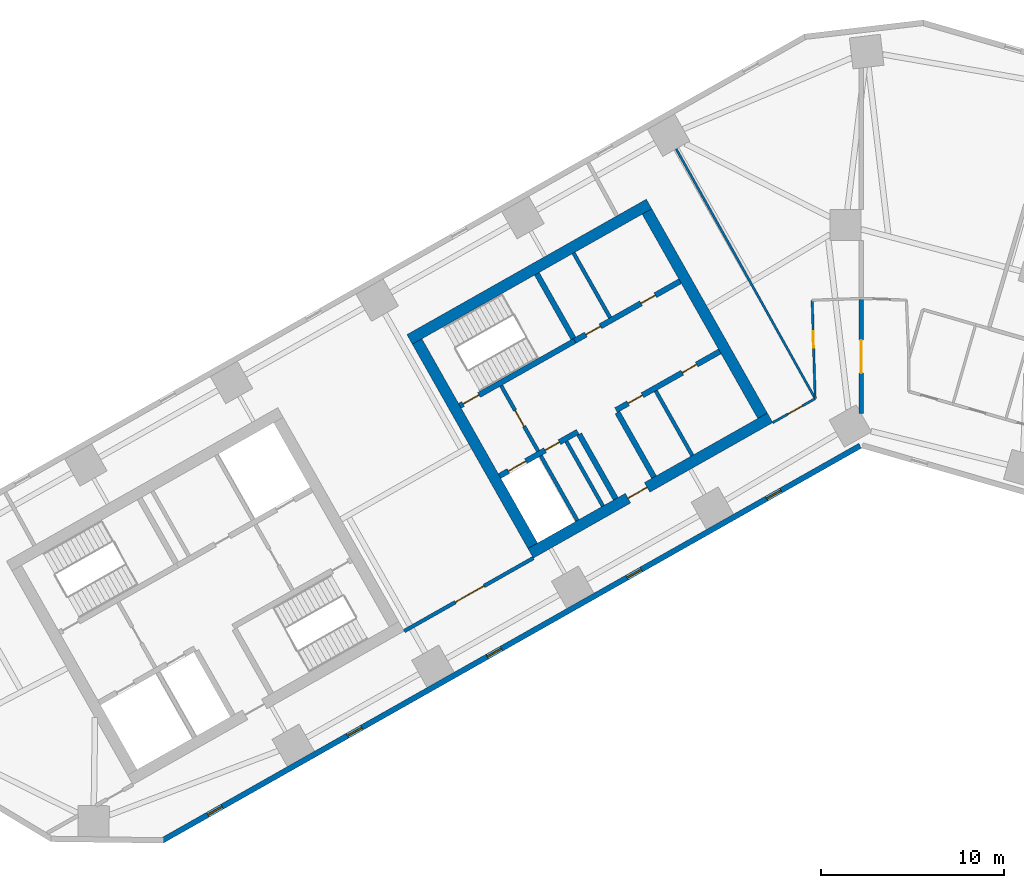
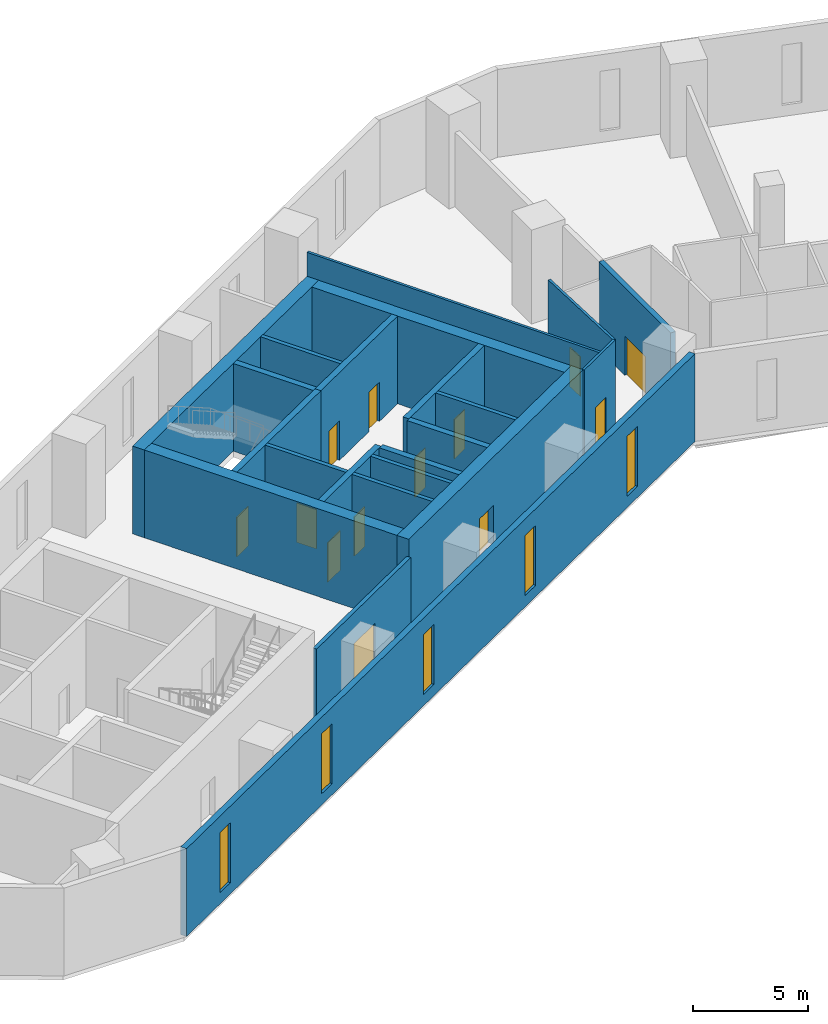
# One storey, part 4 of 10: 22 walls, 13 doors, 5 windows, 18 openings.
"""IFC4 building model written with IfcOpenShell, lengths in metres."""

from ifc_helpers import new_model, si_unit, direction, frame, frame_2d, origin, place, context, subcontext, project, spatial, rectangle, extrude, material, layer, layer_set, type_object, element, fill, save


model = new_model("IFC4")

# Units and contexts
model_context = context("Model", 3, precision=1e-05, world=origin(), true_north=direction((0.0, 1.0)))
body_context = subcontext(model_context, "Body", "Model", "MODEL_VIEW")
ifc_project = project(units=[si_unit("LENGTHUNIT", "METRE"), si_unit("AREAUNIT", "SQUARE_METRE"), si_unit("VOLUMEUNIT", "CUBIC_METRE"), si_unit("PLANEANGLEUNIT", "RADIAN"), si_unit("MASSUNIT", "GRAM", prefix="KILO")], contexts=[model_context])

# Site, building, storey
site_placement = place(None, origin())
site = spatial("IfcSite", under=ifc_project, at=site_placement, CompositionType="ELEMENT")
building_placement = place(site_placement, origin())
building = spatial("IfcBuilding", under=site, at=building_placement, Name="Binnacle Exchange Tower", CompositionType="ELEMENT")
storey_placement = place(building_placement, frame((0.0, 0.0, 51.5)))
storey = spatial("IfcBuildingStorey", under=building, at=storey_placement, Name="L10", CompositionType="ELEMENT", Elevation=51.5)

# Walls
ifc_material_1 = material(Name="Gypsum partition fire rated")
ifc_layer_1 = layer(ifc_material_1, 0.199951171875)
ifc_layer_set_1 = layer_set([ifc_layer_1], Name="Core partition 200")
wall_type_1 = type_object("IfcWallType", Name="Core partition 200", PredefinedType="PARTITIONING", material=ifc_layer_set_1)
for number, where, z_axis, x_axis, name in (
    (1, (-15.6845703125, 58.4794921875, 0.0), (0.0, 0.0, 1.0), (0.49241474071, -0.870360685654, 0.0), "Core wall CRWC17"),
    (2, (-11.201904296875, 50.96240234375, 0.0), (0.0, 0.0, 1.0), (0.49241474071, -0.870360685654, 0.0), "Core wall CRWC19"),
):
    element("IfcWall", number, at=place(storey_placement, frame(where, z_axis=z_axis, x_axis=x_axis)), inside=storey, type_object=wall_type_1, Name=name, PredefinedType="PARTITIONING", context=body_context, shape_type="SweptSolid", body=[
        extrude(rectangle(XDim=4.05029296875, YDim=0.199951171875, at=frame_2d((2.025146484375, 0.0))), origin(), (0.0, 0.0, 1.0), 4.679931640625),
    ])

# Wall, openings, doors
ifc_material_2 = material(Name="Concrete C70/85", Category="concrete")
ifc_layer_2 = layer(ifc_material_2, 0.300048828125)
ifc_layer_set_2 = layer_set([ifc_layer_2], Name="Core wall - front 300")
wall_type_2 = type_object("IfcWallType", Name="Core wall - front 300", PredefinedType="SOLIDWALL", material=ifc_layer_set_2)
wall_1_placement = place(storey_placement, frame((-19.718017578125, 46.31640625, 0.0), z_axis=(0.0, 0.0, 1.0), x_axis=(0.870353963862, 0.492426621528, 0.0)))
wall_1 = element("IfcWall", 3, at=wall_1_placement, inside=storey, type_object=wall_type_2, Name="Core wall CRWC2", PredefinedType="SOLIDWALL", context=body_context, shape_type="SweptSolid", body=[
    extrude(rectangle(XDim=4.89990234375, YDim=0.300048828125, at=frame_2d((2.449951171875, 0.0))), origin(), (0.0, 0.0, 1.0), 4.679931640625),
])
opening_1_placement = place(wall_1_placement, frame((0.550048828125, 0.0, 0.0)))
opening_1 = element("IfcOpeningElement", 4, at=opening_1_placement, cuts=wall_1, Name="Opening LD14", PredefinedType="OPENING", context=body_context, shape_type="SweptSolid", body=[
    extrude(rectangle(XDim=1.10009765625, YDim=2.10009765625, at=frame_2d((0.550048828125, 1.050048828125))), frame((0.0, 0.159912109375, 0.0), z_axis=(0.0, -1.0, 0.0), x_axis=(1.0, 0.0, 0.0)), (0.0, 0.0, 1.0), 0.320068359375),
])
opening_2_placement = place(wall_1_placement, frame((2.85009765625, 0.0, 0.0)))
opening_2 = element("IfcOpeningElement", 5, at=opening_2_placement, cuts=wall_1, Name="Opening DC14", PredefinedType="OPENING", context=body_context, shape_type="SweptSolid", body=[
    extrude(rectangle(XDim=0.89990234375, YDim=2.10009765625, at=frame_2d((0.449951171875, 1.050048828125))), frame((0.0, 0.159912109375, 0.0), z_axis=(0.0, -1.0, 0.0), x_axis=(1.0, 0.0, 0.0)), (0.0, 0.0, 1.0), 0.320068359375),
])
ifc_material_3 = material(Name="Steel door leaf", Category="steel")
door_type_1 = type_object("IfcDoorType", Name="Fire door - lift landing 1100", OperationType="NOTDEFINED", PredefinedType="DOOR", material=ifc_material_3)
door_1_placement = place(opening_1_placement, origin())
door_1 = element("IfcDoor", 6, at=door_1_placement, inside=storey, type_object=door_type_1, Name="Landing door LD14 L10", OperationType="DOUBLE_DOOR_SLIDING", OverallHeight=2.10009765625, OverallWidth=1.10009765625, PredefinedType="DOOR", context=body_context, shape_type="SweptSolid", body=[
    extrude(rectangle(XDim=1.10009765625, YDim=2.10009765625, at=frame_2d((0.550048828125, 1.050048828125))), frame((0.0, 0.02490234375, 0.0), z_axis=(0.0, -1.0, 0.0), x_axis=(1.0, 0.0, 0.0)), (0.0, 0.0, 1.0), 0.050048828125),
])
fill(opening_1, door_1)
door_type_2 = type_object("IfcDoorType", Name="Fire door 900", OperationType="NOTDEFINED", PredefinedType="DOOR", material=ifc_material_3)
door_2_placement = place(opening_2_placement, frame((0.89990234375, 0.0, 0.0), z_axis=(0.0, 0.0, 1.0), x_axis=(-1.0, 0.0, 0.0)))
door_2 = element("IfcDoor", 7, at=door_2_placement, inside=storey, type_object=door_type_2, Name="Core room door ELECTRICAL ROOM", OperationType="SINGLE_SWING_LEFT", OverallHeight=2.10009765625, OverallWidth=0.89990234375, PredefinedType="DOOR", context=body_context, shape_type="SweptSolid", body=[
    extrude(rectangle(XDim=0.89990234375, YDim=2.10009765625, at=frame_2d((0.449951171875, 1.050048828125))), frame((0.0, 0.02490234375, 0.0), z_axis=(0.0, -1.0, 0.0), x_axis=(1.0, 0.0, 0.0)), (0.0, 0.0, 1.0), 0.050048828125),
])
fill(opening_2, door_2)

wall_2_placement = place(storey_placement, frame((-13.364501953125, 49.910888671875, 0.0), z_axis=(0.0, 0.0, 1.0), x_axis=(0.870340995471, 0.49244954219, 0.0)))
wall_2 = element("IfcWall", 8, at=wall_2_placement, inside=storey, type_object=wall_type_2, Name="Core wall CRWC3", PredefinedType="SOLIDWALL", context=body_context, shape_type="SweptSolid", body=[
    extrude(rectangle(XDim=6.5, YDim=0.300048828125, at=frame_2d((3.25, 0.0))), origin(), (0.0, 0.0, 1.0), 4.679931640625),
])
opening_3_placement = place(wall_2_placement, frame((0.75, 0.0, 0.0)))
opening_3 = element("IfcOpeningElement", 9, at=opening_3_placement, cuts=wall_2, Name="Opening DC18", PredefinedType="OPENING", context=body_context, shape_type="SweptSolid", body=[
    extrude(rectangle(XDim=0.89990234375, YDim=2.10009765625, at=frame_2d((0.449951171875, 1.050048828125))), frame((0.0, 0.159912109375, 0.0), z_axis=(0.0, -1.0, 0.0), x_axis=(1.0, 0.0, 0.0)), (0.0, 0.0, 1.0), 0.320068359375),
])
opening_4_placement = place(wall_2_placement, frame((4.14990234375, 0.0, 0.0)))
opening_4 = element("IfcOpeningElement", 10, at=opening_4_placement, cuts=wall_2, Name="Opening DC19", PredefinedType="OPENING", context=body_context, shape_type="SweptSolid", body=[
    extrude(rectangle(XDim=0.89990234375, YDim=2.10009765625, at=frame_2d((0.449951171875, 1.050048828125))), frame((0.0, 0.159912109375, 0.0), z_axis=(0.0, -1.0, 0.0), x_axis=(1.0, 0.0, 0.0)), (0.0, 0.0, 1.0), 0.320068359375),
])
door_3_placement = place(opening_3_placement, frame((0.89990234375, 0.0, 0.0), z_axis=(0.0, 0.0, 1.0), x_axis=(-1.0, 0.0, 0.0)))
door_3 = element("IfcDoor", 11, at=door_3_placement, inside=storey, type_object=door_type_2, Name="Core room door COMMS RISER ROOM", OperationType="SINGLE_SWING_RIGHT", OverallHeight=2.10009765625, OverallWidth=0.89990234375, PredefinedType="DOOR", context=body_context, shape_type="SweptSolid", body=[
    extrude(rectangle(XDim=0.89990234375, YDim=2.10009765625, at=frame_2d((0.449951171875, 1.050048828125))), frame((0.0, 0.02490234375, 0.0), z_axis=(0.0, -1.0, 0.0), x_axis=(1.0, 0.0, 0.0)), (0.0, 0.0, 1.0), 0.050048828125),
])
fill(opening_3, door_3)
door_4_placement = place(opening_4_placement, frame((0.89990234375, 0.0, 0.0), z_axis=(0.0, 0.0, 1.0), x_axis=(-1.0, 0.0, 0.0)))
door_4 = element("IfcDoor", 12, at=door_4_placement, inside=storey, type_object=door_type_2, Name="Core room door TELECOM RISER ROOM", OperationType="SINGLE_SWING_LEFT", OverallHeight=2.10009765625, OverallWidth=0.89990234375, PredefinedType="DOOR", context=body_context, shape_type="SweptSolid", body=[
    extrude(rectangle(XDim=0.89990234375, YDim=2.10009765625, at=frame_2d((0.449951171875, 1.050048828125))), frame((0.0, 0.02490234375, 0.0), z_axis=(0.0, -1.0, 0.0), x_axis=(1.0, 0.0, 0.0)), (0.0, 0.0, 1.0), 0.050048828125),
])
fill(opening_4, door_4)

wall_3_placement = place(storey_placement, frame((-15.6181640625, 53.69140625, 0.0), z_axis=(0.0, 0.0, 1.0), x_axis=(0.870356769198, 0.492421663121, 0.0)))
wall_3 = element("IfcWall", 13, at=wall_3_placement, inside=storey, type_object=wall_type_2, Name="Core wall CRWC5", PredefinedType="SOLIDWALL", context=body_context, shape_type="SweptSolid", body=[
    extrude(rectangle(XDim=6.60009765625, YDim=0.300048828125, at=frame_2d((3.300048828125, 0.0))), origin(), (0.0, 0.0, 1.0), 4.679931640625),
])
opening_5_placement = place(wall_3_placement, frame((0.699951171875, 0.0, 0.0)))
opening_5 = element("IfcOpeningElement", 14, at=opening_5_placement, cuts=wall_3, Name="Opening DC10", PredefinedType="OPENING", context=body_context, shape_type="SweptSolid", body=[
    extrude(rectangle(XDim=0.89990234375, YDim=2.10009765625, at=frame_2d((0.449951171875, 1.050048828125))), frame((0.0, 0.159912109375, 0.0), z_axis=(0.0, -1.0, 0.0), x_axis=(1.0, 0.0, 0.0)), (0.0, 0.0, 1.0), 0.320068359375),
])
opening_6_placement = place(wall_3_placement, frame((4.14990234375, 0.0, 0.0)))
opening_6 = element("IfcOpeningElement", 15, at=opening_6_placement, cuts=wall_3, Name="Opening DC11", PredefinedType="OPENING", context=body_context, shape_type="SweptSolid", body=[
    extrude(rectangle(XDim=0.89990234375, YDim=2.10009765625, at=frame_2d((0.449951171875, 1.050048828125))), frame((0.0, 0.159912109375, 0.0), z_axis=(0.0, -1.0, 0.0), x_axis=(1.0, 0.0, 0.0)), (0.0, 0.0, 1.0), 0.320068359375),
])
door_5_placement = place(opening_5_placement, origin())
door_5 = element("IfcDoor", 16, at=door_5_placement, inside=storey, type_object=door_type_2, Name="Core room door FIBRE ENTRY ROOM", OperationType="SINGLE_SWING_LEFT", OverallHeight=2.10009765625, OverallWidth=0.89990234375, PredefinedType="DOOR", context=body_context, shape_type="SweptSolid", body=[
    extrude(rectangle(XDim=0.89990234375, YDim=2.10009765625, at=frame_2d((0.449951171875, 1.050048828125))), frame((0.0, 0.02490234375, 0.0), z_axis=(0.0, -1.0, 0.0), x_axis=(1.0, 0.0, 0.0)), (0.0, 0.0, 1.0), 0.050048828125),
])
fill(opening_5, door_5)
door_6_placement = place(opening_6_placement, origin())
door_6 = element("IfcDoor", 17, at=door_6_placement, inside=storey, type_object=door_type_2, Name="Core room door PANTRY", OperationType="SINGLE_SWING_RIGHT", OverallHeight=2.10009765625, OverallWidth=0.89990234375, PredefinedType="DOOR", context=body_context, shape_type="SweptSolid", body=[
    extrude(rectangle(XDim=0.89990234375, YDim=2.10009765625, at=frame_2d((0.449951171875, 1.050048828125))), frame((0.0, 0.02490234375, 0.0), z_axis=(0.0, -1.0, 0.0), x_axis=(1.0, 0.0, 0.0)), (0.0, 0.0, 1.0), 0.050048828125),
])
fill(opening_6, door_6)

# Walls
for number, where, z_axis, x_axis, name in (
    (18, (-15.37939453125, 48.5986328125, 0.0), (0.0, 0.0, 1.0), (0.492394910396, -0.870371904542, 0.0), "Core wall CRWC13"),
    (19, (-13.29052734375, 49.780517578125, 0.0), (0.0, 0.0, 1.0), (0.492394910396, -0.870371904542, 0.0), "Core wall CRWC15"),
):
    element("IfcWall", number, at=place(storey_placement, frame(where, z_axis=z_axis, x_axis=x_axis)), inside=storey, type_object=wall_type_2, Name=name, PredefinedType="SOLIDWALL", context=body_context, shape_type="SweptSolid", body=[
        extrude(rectangle(XDim=4.0498046875, YDim=0.300048828125, at=frame_2d((2.02490234375, 0.0))), origin(), (0.0, 0.0, 1.0), 4.679931640625),
    ])

# Wall, opening, door
ifc_layer_3 = layer(ifc_material_2, 0.60009765625)
ifc_layer_set_3 = layer_set([ifc_layer_3], Name="Core wall - outer 600")
wall_type_3 = type_object("IfcWallType", Name="Core wall - outer 600", PredefinedType="SOLIDWALL", material=ifc_layer_set_3)
wall_4_placement = place(storey_placement, frame((-18.0244140625, 42.104248046875, 0.0), z_axis=(0.0, 0.0, 1.0), x_axis=(0.870360574057, 0.492414937962, 0.0)))
wall_4 = element("IfcWall", 20, at=wall_4_placement, inside=storey, type_object=wall_type_3, Name="Core wall CRWC1", PredefinedType="SOLIDWALL", context=body_context, shape_type="SweptSolid", body=[
    extrude(rectangle(XDim=15.0, YDim=0.60009765625, at=frame_2d((7.5, 0.0))), origin(), (0.0, 0.0, 1.0), 4.679931640625),
])
opening_7_placement = place(wall_4_placement, frame((6.10009765625, 0.0, 0.0)))
opening_7 = element("IfcOpeningElement", 21, at=opening_7_placement, cuts=wall_4, Name="Opening DC7", PredefinedType="OPENING", context=body_context, shape_type="SweptSolid", body=[
    extrude(rectangle(XDim=1.199951171875, YDim=2.10009765625, at=frame_2d((0.60009765625, 1.050048828125))), frame((0.0, 0.31005859375, 0.0), z_axis=(0.0, -1.0, 0.0), x_axis=(1.0, 0.0, 0.0)), (0.0, 0.0, 1.0), 0.6201171875),
])
door_type_3 = type_object("IfcDoorType", Name="Fire door 1200", OperationType="NOTDEFINED", PredefinedType="DOOR", material=ifc_material_3)
door_7_placement = place(opening_7_placement, frame((1.199951171875, 0.0, 0.0), z_axis=(0.0, 0.0, 1.0), x_axis=(-1.0, 0.0, 0.0)))
door_7 = element("IfcDoor", 22, at=door_7_placement, inside=storey, type_object=door_type_3, Name="Lift lobby entrance door core C", OperationType="SINGLE_SWING_RIGHT", OverallHeight=2.10009765625, OverallWidth=1.199951171875, PredefinedType="DOOR", context=body_context, shape_type="SweptSolid", body=[
    extrude(rectangle(XDim=1.199951171875, YDim=2.10009765625, at=frame_2d((0.60009765625, 1.050048828125))), frame((0.0, 0.02490234375, 0.0), z_axis=(0.0, -1.0, 0.0), x_axis=(1.0, 0.0, 0.0)), (0.0, 0.0, 1.0), 0.050048828125),
])
fill(opening_7, door_7)

# Walls
wall_5_placement = place(storey_placement, frame((-24.622802734375, 53.76708984375, 0.0), z_axis=(0.0, 0.0, 1.0), x_axis=(0.870356627484, 0.492421913601, 0.0)))
element("IfcWall", 23, at=wall_5_placement, inside=storey, type_object=wall_type_3, Name="Core wall CRWC6", PredefinedType="SOLIDWALL", context=body_context, shape_type="SweptSolid", body=[
    extrude(rectangle(XDim=14.999755859375, YDim=0.60009765625, at=frame_2d((7.5, 0.0))), origin(), (0.0, 0.0, 1.0), 4.679931640625),
])
wall_6_placement = place(storey_placement, frame((-24.214111328125, 53.653564453125, 0.0), z_axis=(0.0, 0.0, 1.0), x_axis=(0.492441221355, -0.870345703448, 0.0)))
element("IfcWall", 24, at=wall_6_placement, inside=storey, type_object=wall_type_3, Name="Core wall CRWC7", PredefinedType="SOLIDWALL", context=body_context, shape_type="SweptSolid", body=[
    extrude(rectangle(XDim=12.800048828125, YDim=0.60009765625, at=frame_2d((6.39990234375, 0.0))), origin(), (0.0, 0.0, 1.0), 4.679931640625),
])
wall_7_placement = place(storey_placement, frame((-11.680908203125, 60.744384765625, 0.0), z_axis=(0.0, 0.0, 1.0), x_axis=(0.492426772896, -0.870353878221, 0.0)))
element("IfcWall", 25, at=wall_7_placement, inside=storey, type_object=wall_type_3, Name="Core wall CRWC24", PredefinedType="SOLIDWALL", context=body_context, shape_type="SweptSolid", body=[
    extrude(rectangle(XDim=12.7998046875, YDim=0.60009765625, at=frame_2d((6.39990234375, 0.0))), origin(), (0.0, 0.0, 1.0), 4.679931640625),
])

# Wall, opening, door
ifc_layer_4 = layer(ifc_material_2, 0.300048828125)
ifc_layer_set_4 = layer_set([ifc_layer_4], Name="Core wall - stair 300")
wall_type_4 = type_object("IfcWallType", Name="Core wall - stair 300", PredefinedType="SOLIDWALL", material=ifc_layer_set_4)
wall_8_placement = place(storey_placement, frame((-21.884765625, 50.14599609375, 0.0), z_axis=(0.0, 0.0, 1.0), x_axis=(0.870359411463, 0.492416992881, 0.0)))
wall_8 = element("IfcWall", 26, at=wall_8_placement, inside=storey, type_object=wall_type_4, Name="Core wall CRWC4", PredefinedType="SOLIDWALL", context=body_context, shape_type="SweptSolid", body=[
    extrude(rectangle(XDim=7.199951171875, YDim=0.300048828125, at=frame_2d((3.60009765625, 0.0))), origin(), (0.0, 0.0, 1.0), 4.679931640625),
])
opening_8_placement = place(wall_8_placement, frame((0.199951171875, 0.0, 0.0)))
opening_8 = element("IfcOpeningElement", 27, at=opening_8_placement, cuts=wall_8, Name="Opening DC1", PredefinedType="OPENING", context=body_context, shape_type="SweptSolid", body=[
    extrude(rectangle(XDim=1.0, YDim=2.10009765625, at=frame_2d((0.5, 1.050048828125))), frame((0.0, 0.159912109375, 0.0), z_axis=(0.0, -1.0, 0.0), x_axis=(1.0, 0.0, 0.0)), (0.0, 0.0, 1.0), 0.320068359375),
])
door_type_4 = type_object("IfcDoorType", Name="Fire door 1000", OperationType="NOTDEFINED", PredefinedType="DOOR", material=ifc_material_3)
door_8_placement = place(opening_8_placement, origin())
door_8 = element("IfcDoor", 28, at=door_8_placement, inside=storey, type_object=door_type_4, Name="Stair door ST-C1", OperationType="SINGLE_SWING_LEFT", OverallHeight=2.10009765625, OverallWidth=1.0, PredefinedType="DOOR", context=body_context, shape_type="SweptSolid", body=[
    extrude(rectangle(XDim=1.0, YDim=2.10009765625, at=frame_2d((0.5, 1.050048828125))), frame((0.0, 0.02490234375, 0.0), z_axis=(0.0, -1.0, 0.0), x_axis=(1.0, 0.0, 0.0)), (0.0, 0.0, 1.0), 0.050048828125),
])
fill(opening_8, door_8)

# Wall
wall_9_placement = place(storey_placement, frame((-17.686279296875, 57.3466796875, 0.0), z_axis=(0.0, 0.0, 1.0), x_axis=(0.492420746998, -0.870357287513, 0.0)))
element("IfcWall", 29, at=wall_9_placement, inside=storey, type_object=wall_type_4, Name="Core wall CRWC14", PredefinedType="SOLIDWALL", context=body_context, shape_type="SweptSolid", body=[
    extrude(rectangle(XDim=4.049560546875, YDim=0.300048828125, at=frame_2d((2.02490234375, 0.0))), origin(), (0.0, 0.0, 1.0), 4.679931640625),
])

# Wall, openings, windows
ifc_material_4 = material(Name="Bronze aluminium cladding", Category="aluminium")
ifc_layer_5 = layer(ifc_material_4, 0.300048828125)
ifc_layer_set_5 = layer_set([ifc_layer_5], Name="External wall - spandrel 300")
wall_type_5 = type_object("IfcWallType", Name="External wall - spandrel 300", PredefinedType="STANDARD", material=ifc_layer_set_5)
wall_10_placement = place(storey_placement, frame((-0.0546875, 47.968994140625, 0.0), z_axis=(0.0, 0.0, 1.0), x_axis=(-0.870355730478, -0.492423499058, 0.0)))
wall_10 = element("IfcWall", 30, at=wall_10_placement, inside=storey, type_object=wall_type_5, Name="External wall EW-F07 L10", PredefinedType="STANDARD", context=body_context, shape_type="SweptSolid", body=[
    extrude(rectangle(XDim=43.750244140625, YDim=0.300048828125, at=frame_2d((21.875, 0.0))), origin(), (0.0, 0.0, 1.0), 4.679931640625),
])
opening_9_placement = place(wall_10_placement, frame((39.976806640625, 0.0, 0.60009765625)))
opening_9 = element("IfcOpeningElement", 31, at=opening_9_placement, cuts=wall_10, Name="Opening WS1", PredefinedType="OPENING", context=body_context, shape_type="SweptSolid", body=[
    extrude(rectangle(XDim=0.89990234375, YDim=3.199951171875, at=frame_2d((0.449951171875, 1.60009765625))), frame((0.0, 0.159912109375, 0.0), z_axis=(0.0, -1.0, 0.0), x_axis=(1.0, 0.0, 0.0)), (0.0, 0.0, 1.0), 0.320068359375),
])
opening_10_placement = place(wall_10_placement, frame((31.222412109375, 0.0, 0.60009765625)))
opening_10 = element("IfcOpeningElement", 32, at=opening_10_placement, cuts=wall_10, Name="Opening WS1", PredefinedType="OPENING", context=body_context, shape_type="SweptSolid", body=[
    extrude(rectangle(XDim=0.89990234375, YDim=3.199951171875, at=frame_2d((0.449951171875, 1.60009765625))), frame((0.0, 0.159912109375, 0.0), z_axis=(0.0, -1.0, 0.0), x_axis=(1.0, 0.0, 0.0)), (0.0, 0.0, 1.0), 0.320068359375),
])
opening_11_placement = place(wall_10_placement, frame((22.4677734375, 0.0, 0.60009765625)))
opening_11 = element("IfcOpeningElement", 33, at=opening_11_placement, cuts=wall_10, Name="Opening WS1", PredefinedType="OPENING", context=body_context, shape_type="SweptSolid", body=[
    extrude(rectangle(XDim=0.89990234375, YDim=3.199951171875, at=frame_2d((0.449951171875, 1.60009765625))), frame((0.0, 0.159912109375, 0.0), z_axis=(0.0, -1.0, 0.0), x_axis=(1.0, 0.0, 0.0)), (0.0, 0.0, 1.0), 0.320068359375),
])
opening_12_placement = place(wall_10_placement, frame((13.713134765625, 0.0, 0.60009765625)))
opening_12 = element("IfcOpeningElement", 34, at=opening_12_placement, cuts=wall_10, Name="Opening WS1", PredefinedType="OPENING", context=body_context, shape_type="SweptSolid", body=[
    extrude(rectangle(XDim=0.89990234375, YDim=3.199951171875, at=frame_2d((0.449951171875, 1.60009765625))), frame((0.0, 0.159912109375, 0.0), z_axis=(0.0, -1.0, 0.0), x_axis=(1.0, 0.0, 0.0)), (0.0, 0.0, 1.0), 0.320068359375),
])
opening_13_placement = place(wall_10_placement, frame((4.958740234375, 0.0, 0.60009765625)))
opening_13 = element("IfcOpeningElement", 35, at=opening_13_placement, cuts=wall_10, Name="Opening WS1", PredefinedType="OPENING", context=body_context, shape_type="SweptSolid", body=[
    extrude(rectangle(XDim=0.89990234375, YDim=3.199951171875, at=frame_2d((0.449951171875, 1.60009765625))), frame((0.0, 0.159912109375, 0.0), z_axis=(0.0, -1.0, 0.0), x_axis=(1.0, 0.0, 0.0)), (0.0, 0.0, 1.0), 0.320068359375),
])
ifc_material_5 = material(Name="Bronze anodised aluminium frame", Category="aluminium")
window_type = type_object("IfcWindowType", Name="WS1 WINDOW 900x3200", PartitioningType="SINGLE_PANEL", PredefinedType="WINDOW", material=ifc_material_5)
window_1_placement = place(opening_9_placement, origin())
window_1 = element("IfcWindow", 36, at=window_1_placement, inside=storey, type_object=window_type, Name="Window WS1 L10", OverallHeight=3.199951171875, OverallWidth=0.89990234375, PartitioningType="SINGLE_PANEL", PredefinedType="WINDOW", context=body_context, shape_type="SweptSolid", body=[
    extrude(rectangle(XDim=0.89990234375, YDim=3.199951171875, at=frame_2d((0.449951171875, 1.60009765625))), frame((0.0, 0.030029296875, 0.0), z_axis=(0.0, -1.0, 0.0), x_axis=(1.0, 0.0, 0.0)), (0.0, 0.0, 1.0), 0.06005859375),
])
fill(opening_9, window_1)
window_2_placement = place(opening_10_placement, origin())
window_2 = element("IfcWindow", 37, at=window_2_placement, inside=storey, type_object=window_type, Name="Window WS1 L10", OverallHeight=3.199951171875, OverallWidth=0.89990234375, PartitioningType="SINGLE_PANEL", PredefinedType="WINDOW", context=body_context, shape_type="SweptSolid", body=[
    extrude(rectangle(XDim=0.89990234375, YDim=3.199951171875, at=frame_2d((0.449951171875, 1.60009765625))), frame((0.0, 0.030029296875, 0.0), z_axis=(0.0, -1.0, 0.0), x_axis=(1.0, 0.0, 0.0)), (0.0, 0.0, 1.0), 0.06005859375),
])
fill(opening_10, window_2)
window_3_placement = place(opening_11_placement, origin())
window_3 = element("IfcWindow", 38, at=window_3_placement, inside=storey, type_object=window_type, Name="Window WS1 L10", OverallHeight=3.199951171875, OverallWidth=0.89990234375, PartitioningType="SINGLE_PANEL", PredefinedType="WINDOW", context=body_context, shape_type="SweptSolid", body=[
    extrude(rectangle(XDim=0.89990234375, YDim=3.199951171875, at=frame_2d((0.449951171875, 1.60009765625))), frame((0.0, 0.030029296875, 0.0), z_axis=(0.0, -1.0, 0.0), x_axis=(1.0, 0.0, 0.0)), (0.0, 0.0, 1.0), 0.06005859375),
])
fill(opening_11, window_3)
window_4_placement = place(opening_12_placement, origin())
window_4 = element("IfcWindow", 39, at=window_4_placement, inside=storey, type_object=window_type, Name="Window WS1 L10", OverallHeight=3.199951171875, OverallWidth=0.89990234375, PartitioningType="SINGLE_PANEL", PredefinedType="WINDOW", context=body_context, shape_type="SweptSolid", body=[
    extrude(rectangle(XDim=0.89990234375, YDim=3.199951171875, at=frame_2d((0.449951171875, 1.60009765625))), frame((0.0, 0.030029296875, 0.0), z_axis=(0.0, -1.0, 0.0), x_axis=(1.0, 0.0, 0.0)), (0.0, 0.0, 1.0), 0.06005859375),
])
fill(opening_12, window_4)
window_5_placement = place(opening_13_placement, origin())
window_5 = element("IfcWindow", 40, at=window_5_placement, inside=storey, type_object=window_type, Name="Window WS1 L10", OverallHeight=3.199951171875, OverallWidth=0.89990234375, PartitioningType="SINGLE_PANEL", PredefinedType="WINDOW", context=body_context, shape_type="SweptSolid", body=[
    extrude(rectangle(XDim=0.89990234375, YDim=3.199951171875, at=frame_2d((0.449951171875, 1.60009765625))), frame((0.0, 0.030029296875, 0.0), z_axis=(0.0, -1.0, 0.0), x_axis=(1.0, 0.0, 0.0)), (0.0, 0.0, 1.0), 0.06005859375),
])
fill(opening_13, window_5)

# Wall, opening, door
ifc_material_6 = material(Name="Masonry block wall", Category="masonry")
ifc_layer_6 = layer(ifc_material_6, 0.199951171875)
ifc_layer_set_6 = layer_set([ifc_layer_6], Name="Fire wall - block 200")
wall_type_6 = type_object("IfcWallType", Name="Fire wall - block 200", PredefinedType="PARTITIONING", material=ifc_layer_set_6)
wall_11_placement = place(storey_placement, frame((-24.9189453125, 37.85888671875, 0.0), z_axis=(0.0, 0.0, 1.0), x_axis=(0.870357635969, 0.492420131098, 0.0)))
wall_11 = element("IfcWall", 41, at=wall_11_placement, inside=storey, type_object=wall_type_6, Name="Partition W04", PredefinedType="PARTITIONING", context=body_context, shape_type="SweptSolid", body=[
    extrude(rectangle(XDim=8.0908203125, YDim=0.199951171875, at=frame_2d((4.04541015625, 0.0))), origin(), (0.0, 0.0, 1.0), 3.748046875),
])
opening_14_placement = place(wall_11_placement, frame((3.199951171875, 0.0, 0.0)))
opening_14 = element("IfcOpeningElement", 42, at=opening_14_placement, cuts=wall_11, Name="Opening DL08-02", PredefinedType="OPENING", context=body_context, shape_type="SweptSolid", body=[
    extrude(rectangle(XDim=1.800048828125, YDim=2.10009765625, at=frame_2d((0.89990234375, 1.050048828125))), frame((0.0, 0.10986328125, 0.0), z_axis=(0.0, -1.0, 0.0), x_axis=(1.0, 0.0, 0.0)), (0.0, 0.0, 1.0), 0.219970703125),
])
door_type_5 = type_object("IfcDoorType", Name="Fire door 1800", OperationType="NOTDEFINED", PredefinedType="DOOR", material=ifc_material_3)
door_9_placement = place(opening_14_placement, origin())
door_9 = element("IfcDoor", 43, at=door_9_placement, inside=storey, type_object=door_type_5, Name="Door DL08-02", OperationType="DOUBLE_DOOR_SINGLE_SWING", OverallHeight=2.10009765625, OverallWidth=1.800048828125, PredefinedType="DOOR", context=body_context, shape_type="SweptSolid", body=[
    extrude(rectangle(XDim=1.800048828125, YDim=2.10009765625, at=frame_2d((0.89990234375, 1.050048828125))), frame((0.0, 0.02490234375, 0.0), z_axis=(0.0, -1.0, 0.0), x_axis=(1.0, 0.0, 0.0)), (0.0, 0.0, 1.0), 0.050048828125),
])
fill(opening_14, door_9)

ifc_material_7 = material(Name="Concrete fire wall C30/37", Category="concrete")
ifc_layer_7 = layer(ifc_material_7, 0.25)
ifc_layer_set_7 = layer_set([ifc_layer_7], Name="Fire wall - compartment 250")
wall_type_7 = type_object("IfcWallType", Name="Fire wall - compartment 250", PredefinedType="PARTITIONING", material=ifc_layer_set_7)
wall_12_placement = place(storey_placement, frame((0.0, 49.72607421875, 0.0), z_axis=(0.0, 0.0, 1.0), x_axis=(0.0, 1.0, 0.0)))
wall_12 = element("IfcWall", 44, at=wall_12_placement, inside=storey, type_object=wall_type_7, Name="Fire Wall W10", PredefinedType="PARTITIONING", context=body_context, shape_type="SweptSolid", body=[
    extrude(rectangle(XDim=6.27392578125, YDim=0.25, at=frame_2d((3.136962890625, 0.0))), origin(), (0.0, 0.0, 1.0), 4.679931640625),
])
opening_15_placement = place(wall_12_placement, frame((2.199951171875, 0.0, 0.0)))
opening_15 = element("IfcOpeningElement", 45, at=opening_15_placement, cuts=wall_12, Name="Opening DL08-13", PredefinedType="OPENING", context=body_context, shape_type="SweptSolid", body=[
    extrude(rectangle(XDim=1.800048828125, YDim=2.10009765625, at=frame_2d((0.89990234375, 1.050048828125))), frame((0.0, 0.135009765625, 0.0), z_axis=(0.0, -1.0, 0.0), x_axis=(1.0, 0.0, 0.0)), (0.0, 0.0, 1.0), 0.27001953125),
])
door_10_placement = place(opening_15_placement, origin())
door_10 = element("IfcDoor", 46, at=door_10_placement, inside=storey, type_object=door_type_5, Name="Door DL08-13", OperationType="DOUBLE_DOOR_SINGLE_SWING", OverallHeight=2.10009765625, OverallWidth=1.800048828125, PredefinedType="DOOR", context=body_context, shape_type="SweptSolid", body=[
    extrude(rectangle(XDim=1.800048828125, YDim=2.10009765625, at=frame_2d((0.89990234375, 1.050048828125))), frame((0.0, 0.02490234375, 0.0), z_axis=(0.0, -1.0, 0.0), x_axis=(1.0, 0.0, 0.0)), (0.0, 0.0, 1.0), 0.050048828125),
])
fill(opening_15, door_10)

ifc_layer_8 = layer(ifc_material_6, 0.199951171875)
ifc_layer_set_8 = layer_set([ifc_layer_8], Name="Fire wall - vestibule 200")
wall_type_8 = type_object("IfcWallType", Name="Fire wall - vestibule 200", PredefinedType="PARTITIONING", material=ifc_layer_set_8)
wall_13_placement = place(storey_placement, frame((-19.635009765625, 51.246337890625, 0.0), z_axis=(0.0, 0.0, 1.0), x_axis=(0.492408451753, -0.87036424366, 0.0)))
wall_13 = element("IfcWall", 47, at=wall_13_placement, inside=storey, type_object=wall_type_8, Name="Core wall CRWC10", PredefinedType="PARTITIONING", context=body_context, shape_type="SweptSolid", body=[
    extrude(rectangle(XDim=4.099853515625, YDim=0.199951171875, at=frame_2d((2.0498046875, 0.0))), origin(), (0.0, 0.0, 1.0), 4.679931640625),
])
opening_16_placement = place(wall_13_placement, frame((1.550048828125, 0.0, 0.0)))
opening_16 = element("IfcOpeningElement", 48, at=opening_16_placement, cuts=wall_13, Name="Opening DC3", PredefinedType="OPENING", context=body_context, shape_type="SweptSolid", body=[
    extrude(rectangle(XDim=1.0, YDim=2.10009765625, at=frame_2d((0.5, 1.050048828125))), frame((0.0, 0.10986328125, 0.0), z_axis=(0.0, -1.0, 0.0), x_axis=(1.0, 0.0, 0.0)), (0.0, 0.0, 1.0), 0.219970703125),
])
door_11_placement = place(opening_16_placement, frame((1.0, 0.0, 0.0), z_axis=(0.0, 0.0, 1.0), x_axis=(-1.0, 0.0, 0.0)))
door_11 = element("IfcDoor", 49, at=door_11_placement, inside=storey, type_object=door_type_4, Name="Vestibule door VEST-W", OperationType="SINGLE_SWING_RIGHT", OverallHeight=2.10009765625, OverallWidth=1.0, PredefinedType="DOOR", context=body_context, shape_type="SweptSolid", body=[
    extrude(rectangle(XDim=1.0, YDim=2.10009765625, at=frame_2d((0.5, 1.050048828125))), frame((0.0, 0.02490234375, 0.0), z_axis=(0.0, -1.0, 0.0), x_axis=(1.0, 0.0, 0.0)), (0.0, 0.0, 1.0), 0.050048828125),
])
fill(opening_16, door_11)

# Wall
ifc_material_8 = material(Name="Gypsum partition")
ifc_layer_9 = layer(ifc_material_8, 0.125)
ifc_layer_set_9 = layer_set([ifc_layer_9], Name="Partition 125")
wall_type_9 = type_object("IfcWallType", Name="Partition 125", PredefinedType="PARTITIONING", material=ifc_layer_set_9)
wall_14_placement = place(storey_placement, frame((-10.087890625, 64.155029296875, 0.0), z_axis=(0.0, 0.0, 1.0), x_axis=(0.486446127767, -0.873710572661, 0.0)))
element("IfcWall", 50, at=wall_14_placement, inside=storey, type_object=wall_type_9, Name="Partition W06", PredefinedType="PARTITIONING", context=body_context, shape_type="SweptSolid", body=[
    extrude(rectangle(XDim=15.583984375, YDim=0.125, at=frame_2d((7.7919921875, 0.0))), origin(), (0.0, 0.0, 1.0), 3.760009765625),
])

# Wall, opening, door
wall_15_placement = place(storey_placement, frame((-4.821044921875, 49.22998046875, 0.0), z_axis=(0.0, 0.0, 1.0), x_axis=(0.870371217631, 0.492396124598, 0.0)))
wall_15 = element("IfcWall", 51, at=wall_15_placement, inside=storey, type_object=wall_type_9, Name="Partition W07", PredefinedType="PARTITIONING", context=body_context, shape_type="SweptSolid", body=[
    extrude(rectangle(XDim=2.65869140625, YDim=0.125, at=frame_2d((1.329345703125, 0.0))), origin(), (0.0, 0.0, 1.0), 4.679931640625),
])
opening_17_placement = place(wall_15_placement, frame((0.949951171875, 0.0, 0.0)))
opening_17 = element("IfcOpeningElement", 52, at=opening_17_placement, cuts=wall_15, Name="Opening DL08-03", PredefinedType="OPENING", context=body_context, shape_type="SweptSolid", body=[
    extrude(rectangle(XDim=0.89990234375, YDim=2.10009765625, at=frame_2d((0.449951171875, 1.050048828125))), frame((0.0, 0.072509765625, 0.0), z_axis=(0.0, -1.0, 0.0), x_axis=(1.0, 0.0, 0.0)), (0.0, 0.0, 1.0), 0.14501953125),
])
ifc_material_9 = material(Name="Timber door leaf", Category="wood")
door_type_6 = type_object("IfcDoorType", Name="Door 900", OperationType="NOTDEFINED", PredefinedType="DOOR", material=ifc_material_9)
door_12_placement = place(opening_17_placement, origin())
door_12 = element("IfcDoor", 53, at=door_12_placement, inside=storey, type_object=door_type_6, Name="Door DL08-03", OperationType="SINGLE_SWING_RIGHT", OverallHeight=2.10009765625, OverallWidth=0.89990234375, PredefinedType="DOOR", context=body_context, shape_type="SweptSolid", body=[
    extrude(rectangle(XDim=0.89990234375, YDim=2.10009765625, at=frame_2d((0.449951171875, 1.050048828125))), frame((0.0, 0.02490234375, 0.0), z_axis=(0.0, -1.0, 0.0), x_axis=(1.0, 0.0, 0.0)), (0.0, 0.0, 1.0), 0.050048828125),
])
fill(opening_17, door_12)

wall_16_placement = place(storey_placement, frame((-2.669921875, 55.904052734375, 0.0), z_axis=(0.0, 0.0, 1.0), x_axis=(0.030338701418, -0.999539675649, 0.0)))
wall_16 = element("IfcWall", 54, at=wall_16_placement, inside=storey, type_object=wall_type_9, Name="Partition W08", PredefinedType="PARTITIONING", context=body_context, shape_type="SweptSolid", body=[
    extrude(rectangle(XDim=5.367431640625, YDim=0.125, at=frame_2d((2.68359375, 0.0))), origin(), (0.0, 0.0, 1.0), 4.679931640625),
])
opening_18_placement = place(wall_16_placement, frame((1.699951171875, 0.0, 0.0)))
opening_18 = element("IfcOpeningElement", 55, at=opening_18_placement, cuts=wall_16, Name="Opening DL08-04", PredefinedType="OPENING", context=body_context, shape_type="SweptSolid", body=[
    extrude(rectangle(XDim=0.89990234375, YDim=2.10009765625, at=frame_2d((0.449951171875, 1.050048828125))), frame((0.0, 0.072509765625, 0.0), z_axis=(0.0, -1.0, 0.0), x_axis=(1.0, 0.0, 0.0)), (0.0, 0.0, 1.0), 0.14501953125),
])
door_13_placement = place(opening_18_placement, frame((0.89990234375, 0.0, 0.0), z_axis=(0.0, 0.0, 1.0), x_axis=(-1.0, 0.0, 0.0)))
door_13 = element("IfcDoor", 56, at=door_13_placement, inside=storey, type_object=door_type_6, Name="Door DL08-04", OperationType="SINGLE_SWING_RIGHT", OverallHeight=2.10009765625, OverallWidth=0.89990234375, PredefinedType="DOOR", context=body_context, shape_type="SweptSolid", body=[
    extrude(rectangle(XDim=0.89990234375, YDim=2.10009765625, at=frame_2d((0.449951171875, 1.050048828125))), frame((0.0, 0.02490234375, 0.0), z_axis=(0.0, -1.0, 0.0), x_axis=(1.0, 0.0, 0.0)), (0.0, 0.0, 1.0), 0.050048828125),
])
fill(opening_18, door_13)

# Walls
ifc_layer_10 = layer(ifc_material_6, 0.199951171875)
ifc_layer_set_10 = layer_set([ifc_layer_10], Name="Riser wall 200")
wall_type_10 = type_object("IfcWallType", Name="Riser wall 200", PredefinedType="SOLIDWALL", material=ifc_layer_set_10)
wall_17_placement = place(storey_placement, frame((-16.07568359375, 48.20458984375, 0.0), z_axis=(0.0, 0.0, 1.0), x_axis=(0.492394910396, -0.870371904542, 0.0)))
element("IfcWall", 57, at=wall_17_placement, inside=storey, type_object=wall_type_10, Name="Core wall CRWC12", PredefinedType="SOLIDWALL", context=body_context, shape_type="SweptSolid", body=[
    extrude(rectangle(XDim=4.0498046875, YDim=0.199951171875, at=frame_2d((2.02490234375, 0.0))), origin(), (0.0, 0.0, 1.0), 4.679931640625),
])
ifc_layer_11 = layer(ifc_material_6, 0.199951171875)
ifc_layer_set_11 = layer_set([ifc_layer_11], Name="Shaft wall 200")
wall_type_11 = type_object("IfcWallType", Name="Shaft wall 200", PredefinedType="SOLIDWALL", material=ifc_layer_set_11)
wall_18_placement = place(storey_placement, frame((-17.468505859375, 47.416748046875, 0.0), z_axis=(0.0, 0.0, 1.0), x_axis=(0.492440575896, -0.870346068648, 0.0)))
element("IfcWall", 58, at=wall_18_placement, inside=storey, type_object=wall_type_11, Name="Core wall CRWC9", PredefinedType="SOLIDWALL", context=body_context, shape_type="SweptSolid", body=[
    extrude(rectangle(XDim=4.050048828125, YDim=0.199951171875, at=frame_2d((2.02490234375, 0.0))), origin(), (0.0, 0.0, 1.0), 4.679931640625),
])

save(model, "model.ifc")
